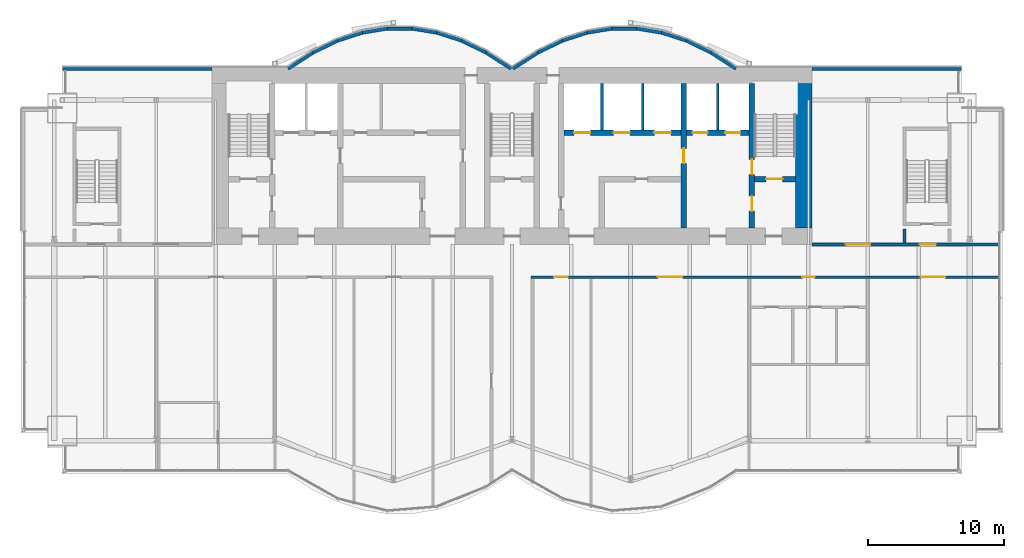
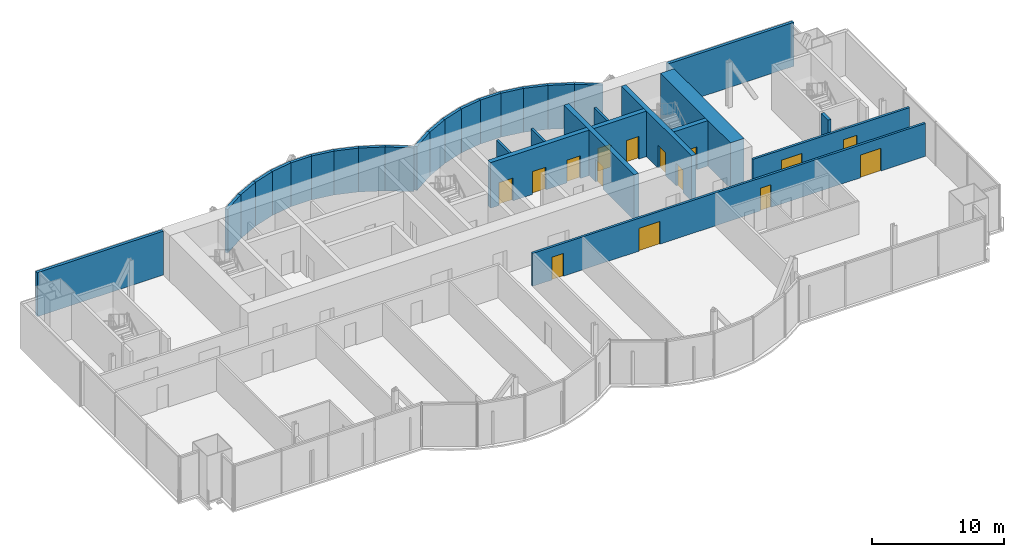
# One storey, part 16 of 20: 31 walls, 15 doors, 15 openings.
"""IFC4 building model written with IfcOpenShell, lengths in metres."""

from ifc_helpers import new_model, si_unit, direction, frame, frame_2d, origin, place, context, subcontext, project, spatial, rectangle, extrude, material, layer, layer_set, layer_usage, type_object, element, fill, save


model = new_model("IFC4")

# Units and contexts
model_context = context("Model", 3, precision=1e-05, world=origin(), true_north=direction((0.0, 1.0)))
body_context = subcontext(model_context, "Body", "Model", "MODEL_VIEW")
ifc_project = project(units=[si_unit("LENGTHUNIT", "METRE"), si_unit("AREAUNIT", "SQUARE_METRE"), si_unit("VOLUMEUNIT", "CUBIC_METRE"), si_unit("PLANEANGLEUNIT", "RADIAN"), si_unit("MASSUNIT", "GRAM", prefix="KILO")], contexts=[model_context])

# Site, building, storey
site_placement = place(None, origin())
site = spatial("IfcSite", under=ifc_project, at=site_placement, CompositionType="ELEMENT")
building_placement = place(site_placement, origin())
building = spatial("IfcBuilding", under=site, at=building_placement, Name="Bicima Exchange Tower", CompositionType="ELEMENT")
storey_placement = place(building_placement, frame((0.0, 0.0, 249.800048828125)))
storey = spatial("IfcBuildingStorey", under=building, at=storey_placement, Name="L56", CompositionType="ELEMENT", Elevation=249.800048828125)

# Walls
ifc_material_1 = material(Name="Gypsum board partition")
ifc_layer_1 = layer(ifc_material_1, 0.199951171875)
ifc_layer_set_1 = layer_set([ifc_layer_1], Name="Gypsum board partition")
wall_type_1 = type_object("IfcWallType", Name="Fire-rated gypsum partition 200 EI120", PredefinedType="PARTITIONING", material=ifc_layer_set_1)
for number, where, z_axis, x_axis, name in (
    (1, (6.60009765625, -4.60009765625, 0.0), (0.0, 0.0, 1.0), (0.0, 1.0, 0.0), "partition wall 18"),
    (2, (9.60009765625, -4.60009765625, 0.0), (0.0, 0.0, 1.0), (0.0, 1.0, 0.0), "partition wall 19"),
    (3, (15.10009765625, -4.60009765625, 0.0), (0.0, 0.0, 1.0), (0.0, 1.0, 0.0), "partition wall 21"),
):
    element("IfcWall", number, at=place(storey_placement, frame(where, z_axis=z_axis, x_axis=x_axis)), inside=storey, type_object=wall_type_1, Name=name, PredefinedType="PARTITIONING", context=body_context, shape_type="SweptSolid", body=[
        extrude(rectangle(XDim=3.400146484375, YDim=0.199951171875, at=frame_2d((1.7001953125, 0.0))), origin(), (0.0, 0.0, 1.0), 3.039306640625),
    ])

# Wall, openings, doors
ifc_layer_2 = layer(ifc_material_1, 0.199951171875)
ifc_layer_set_2 = layer_set([ifc_layer_2], Name="Gypsum board partition")
wall_type_2 = type_object("IfcWallType", Name="Fire-rated gypsum partition 200 EI60", PredefinedType="PARTITIONING", material=ifc_layer_set_2)
wall_1_placement = place(storey_placement, frame((1.39990234375, -15.39990234375, 0.0), z_axis=(0.0, 0.0, 1.0), x_axis=(1.0, 0.0, 0.0)))
wall_1 = element("IfcWall", 4, at=wall_1_placement, inside=storey, type_object=wall_type_2, Name="partition wall 5", PredefinedType="PARTITIONING", context=body_context, shape_type="SweptSolid", body=[
    extrude(rectangle(XDim=34.280029296875, YDim=0.199951171875, at=frame_2d((17.14013671875, 0.0))), origin(), (0.0, 0.0, 1.0), 3.039306640625),
])
opening_1_placement = place(wall_1_placement, frame((1.699951171875, 0.0, 0.0)))
opening_1 = element("IfcOpeningElement", 5, at=opening_1_placement, cuts=wall_1, Name="Opening L56-012", PredefinedType="OPENING", context=body_context, shape_type="SweptSolid", body=[
    extrude(rectangle(XDim=1.0, YDim=2.10009765625, at=frame_2d((0.5, 1.050048828125))), frame((0.0, 0.11181640625, 0.0), z_axis=(0.0, -1.0, 0.0), x_axis=(1.0, 0.0, 0.0)), (0.0, 0.0, 1.0), 0.223876953125),
])
opening_2_placement = place(wall_1_placement, frame((9.300048828125, 0.0, 0.0)))
opening_2 = element("IfcOpeningElement", 6, at=opening_2_placement, cuts=wall_1, Name="Opening L56-013", PredefinedType="OPENING", context=body_context, shape_type="SweptSolid", body=[
    extrude(rectangle(XDim=1.800048828125, YDim=2.10009765625, at=frame_2d((0.89990234375, 1.050048828125))), frame((0.0, 0.11181640625, 0.0), z_axis=(0.0, -1.0, 0.0), x_axis=(1.0, 0.0, 0.0)), (0.0, 0.0, 1.0), 0.223876953125),
])
opening_3_placement = place(wall_1_placement, frame((19.89990234375, 0.0, 0.0)))
opening_3 = element("IfcOpeningElement", 7, at=opening_3_placement, cuts=wall_1, Name="Opening L56-014", PredefinedType="OPENING", context=body_context, shape_type="SweptSolid", body=[
    extrude(rectangle(XDim=0.89990234375, YDim=2.10009765625, at=frame_2d((0.449951171875, 1.050048828125))), frame((0.0, 0.11181640625, 0.0), z_axis=(0.0, -1.0, 0.0), x_axis=(1.0, 0.0, 0.0)), (0.0, 0.0, 1.0), 0.223876953125),
])
opening_4_placement = place(wall_1_placement, frame((28.60009765625, 0.0, 0.0)))
opening_4 = element("IfcOpeningElement", 8, at=opening_4_placement, cuts=wall_1, Name="Opening L56-018", PredefinedType="OPENING", context=body_context, shape_type="SweptSolid", body=[
    extrude(rectangle(XDim=1.800048828125, YDim=2.10009765625, at=frame_2d((0.89990234375, 1.050048828125))), frame((0.0, 0.11181640625, 0.0), z_axis=(0.0, -1.0, 0.0), x_axis=(1.0, 0.0, 0.0)), (0.0, 0.0, 1.0), 0.223876953125),
])
ifc_material_2 = material(Name="Steel fire door leaf", Category="steel")
door_type_1 = type_object("IfcDoorType", Name="Door 1000 swing FD30S", OperationType="SINGLE_SWING_LEFT", PredefinedType="DOOR", material=ifc_material_2)
door_1_placement = place(opening_1_placement, frame((1.0, 0.0, 0.0), z_axis=(0.0, 0.0, 1.0), x_axis=(-1.0, 0.0, 0.0)))
door_1 = element("IfcDoor", 9, at=door_1_placement, inside=storey, type_object=door_type_1, Name="Door", OperationType="SINGLE_SWING_RIGHT", OverallHeight=2.10009765625, OverallWidth=1.0, PredefinedType="DOOR", context=body_context, shape_type="SweptSolid", body=[
    extrude(rectangle(XDim=1.0, YDim=2.10009765625, at=frame_2d((0.5, 1.050048828125))), frame((0.0, 0.02490234375, 0.0), z_axis=(0.0, -1.0, 0.0), x_axis=(1.0, 0.0, 0.0)), (0.0, 0.0, 1.0), 0.050048828125),
])
fill(opening_1, door_1)
door_type_2 = type_object("IfcDoorType", Name="Door 1800 double swing FD30S", OperationType="DOUBLE_DOOR_SINGLE_SWING", PredefinedType="DOOR", material=ifc_material_2)
door_2_placement = place(opening_2_placement, origin())
door_2 = element("IfcDoor", 10, at=door_2_placement, inside=storey, type_object=door_type_2, Name="Door", OperationType="SINGLE_SWING_LEFT", OverallHeight=2.10009765625, OverallWidth=1.800048828125, PredefinedType="DOOR", context=body_context, shape_type="SweptSolid", body=[
    extrude(rectangle(XDim=1.800048828125, YDim=2.10009765625, at=frame_2d((0.89990234375, 1.050048828125))), frame((0.0, 0.02490234375, 0.0), z_axis=(0.0, -1.0, 0.0), x_axis=(1.0, 0.0, 0.0)), (0.0, 0.0, 1.0), 0.050048828125),
])
fill(opening_2, door_2)
door_3_placement = place(opening_4_placement, origin())
door_3 = element("IfcDoor", 11, at=door_3_placement, inside=storey, type_object=door_type_2, Name="Door", OperationType="SINGLE_SWING_LEFT", OverallHeight=2.10009765625, OverallWidth=1.800048828125, PredefinedType="DOOR", context=body_context, shape_type="SweptSolid", body=[
    extrude(rectangle(XDim=1.800048828125, YDim=2.10009765625, at=frame_2d((0.89990234375, 1.050048828125))), frame((0.0, 0.02490234375, 0.0), z_axis=(0.0, -1.0, 0.0), x_axis=(1.0, 0.0, 0.0)), (0.0, 0.0, 1.0), 0.050048828125),
])
fill(opening_4, door_3)
door_type_3 = type_object("IfcDoorType", Name="Door 900 swing FD30S", OperationType="SINGLE_SWING_LEFT", PredefinedType="DOOR", material=ifc_material_2)
door_4_placement = place(opening_3_placement, frame((0.89990234375, 0.0, 0.0), z_axis=(0.0, 0.0, 1.0), x_axis=(-1.0, 0.0, 0.0)))
door_4 = element("IfcDoor", 12, at=door_4_placement, inside=storey, type_object=door_type_3, Name="Door", OperationType="SINGLE_SWING_RIGHT", OverallHeight=2.10009765625, OverallWidth=0.89990234375, PredefinedType="DOOR", context=body_context, shape_type="SweptSolid", body=[
    extrude(rectangle(XDim=0.89990234375, YDim=2.10009765625, at=frame_2d((0.449951171875, 1.050048828125))), frame((0.0, 0.02490234375, 0.0), z_axis=(0.0, -1.0, 0.0), x_axis=(1.0, 0.0, 0.0)), (0.0, 0.0, 1.0), 0.050048828125),
])
fill(opening_3, door_4)

wall_2_placement = place(storey_placement, frame((22.0, -13.0, 0.0), z_axis=(0.0, 0.0, 1.0), x_axis=(1.0, 0.0, 0.0)))
wall_2 = element("IfcWall", 13, at=wall_2_placement, inside=storey, type_object=wall_type_2, Name="partition wall 7", PredefinedType="PARTITIONING", context=body_context, shape_type="SweptSolid", body=[
    extrude(rectangle(XDim=13.679931640625, YDim=0.199951171875, at=frame_2d((6.83984375, 0.0))), origin(), (0.0, 0.0, 1.0), 3.039306640625),
])
opening_5_placement = place(wall_2_placement, frame((7.89990234375, 0.0, 0.0)))
opening_5 = element("IfcOpeningElement", 14, at=opening_5_placement, cuts=wall_2, Name="Opening L56-003", PredefinedType="OPENING", context=body_context, shape_type="SweptSolid", body=[
    extrude(rectangle(XDim=1.199951171875, YDim=2.10009765625, at=frame_2d((0.60009765625, 1.050048828125))), frame((0.0, 0.11181640625, 0.0), z_axis=(0.0, -1.0, 0.0), x_axis=(1.0, 0.0, 0.0)), (0.0, 0.0, 1.0), 0.223876953125),
])
opening_6_placement = place(wall_2_placement, frame((2.5, 0.0, 0.0)))
opening_6 = element("IfcOpeningElement", 15, at=opening_6_placement, cuts=wall_2, Name="Opening L56-006", PredefinedType="OPENING", context=body_context, shape_type="SweptSolid", body=[
    extrude(rectangle(XDim=1.800048828125, YDim=2.10009765625, at=frame_2d((0.89990234375, 1.050048828125))), frame((0.0, 0.11181640625, 0.0), z_axis=(0.0, -1.0, 0.0), x_axis=(1.0, 0.0, 0.0)), (0.0, 0.0, 1.0), 0.223876953125),
])
door_type_4 = type_object("IfcDoorType", Name="Door 1200 swing FD30S", OperationType="SINGLE_SWING_LEFT", PredefinedType="DOOR", material=ifc_material_2)
door_5_placement = place(opening_5_placement, origin())
door_5 = element("IfcDoor", 16, at=door_5_placement, inside=storey, type_object=door_type_4, Name="Door", OperationType="SINGLE_SWING_RIGHT", OverallHeight=2.10009765625, OverallWidth=1.199951171875, PredefinedType="DOOR", context=body_context, shape_type="SweptSolid", body=[
    extrude(rectangle(XDim=1.199951171875, YDim=2.10009765625, at=frame_2d((0.60009765625, 1.050048828125))), frame((0.0, 0.02490234375, 0.0), z_axis=(0.0, -1.0, 0.0), x_axis=(1.0, 0.0, 0.0)), (0.0, 0.0, 1.0), 0.050048828125),
])
fill(opening_5, door_5)
door_6_placement = place(opening_6_placement, origin())
door_6 = element("IfcDoor", 17, at=door_6_placement, inside=storey, type_object=door_type_2, Name="Door", OperationType="SINGLE_SWING_LEFT", OverallHeight=2.10009765625, OverallWidth=1.800048828125, PredefinedType="DOOR", context=body_context, shape_type="SweptSolid", body=[
    extrude(rectangle(XDim=1.800048828125, YDim=2.10009765625, at=frame_2d((0.89990234375, 1.050048828125))), frame((0.0, 0.02490234375, 0.0), z_axis=(0.0, -1.0, 0.0), x_axis=(1.0, 0.0, 0.0)), (0.0, 0.0, 1.0), 0.050048828125),
])
fill(opening_6, door_6)

# Walls
ifc_material_3 = material(Name="Concrete C40/50", Category="concrete")
ifc_layer_3 = layer(ifc_material_3, 1.199951171875)
ifc_layer_set_3 = layer_set([ifc_layer_3], Name="Concrete C40/50")
wall_type_3 = type_object("IfcWallType", Name="RC core wall 1200 C40/50", PredefinedType="SHEAR", material=ifc_layer_set_3)
wall_3_placement = place(storey_placement, frame((21.39990234375, -11.800048828125, 0.0), z_axis=(0.0, 0.0, 1.0), x_axis=(0.0, 1.0, 0.0)))
element("IfcWall", 18, at=wall_3_placement, inside=storey, type_object=wall_type_3, Name="Core wall east", PredefinedType="SHEAR", context=body_context, shape_type="SweptSolid", body=[
    extrude(rectangle(XDim=10.60009765625, YDim=1.199951171875, at=frame_2d((5.300048828125, 0.0))), origin(), (0.0, 0.0, 1.0), 4.199951171875),
])
ifc_material_4 = material(Name="Concrete C50/60", Category="concrete")
ifc_layer_4 = layer(ifc_material_4, 0.25)
ifc_layer_set_4 = layer_set([ifc_layer_4], Name="Concrete C50/60")
wall_type_4 = type_object("IfcWallType", Name="RC core wall 250 C50/60", PredefinedType="SHEAR", material=ifc_layer_set_4)
wall_4_placement = place(storey_placement, frame((28.800048828125, -12.89990234375, 0.0), z_axis=(0.0, 0.0, 1.0), x_axis=(0.0, 1.0, 0.0)))
element("IfcWall", 19, at=wall_4_placement, inside=storey, type_object=wall_type_4, Name="stair wall 30", PredefinedType="SHEAR", context=body_context, shape_type="SweptSolid", body=[
    extrude(rectangle(XDim=1.0498046875, YDim=0.25, at=frame_2d((0.52490234375, 0.0))), origin(), (0.0, 0.0, 1.0), 4.199951171875),
])

# Wall, openings, doors
ifc_layer_5 = layer(ifc_material_3, 0.39990234375)
ifc_layer_set_5 = layer_set([ifc_layer_5], Name="Concrete C40/50")
wall_type_5 = type_object("IfcWallType", Name="RC core wall 400 C40/50", PredefinedType="SHEAR", material=ifc_layer_set_5)
wall_5_placement = place(storey_placement, frame((3.800048828125, -4.800048828125, 0.0), z_axis=(0.0, 0.0, 1.0), x_axis=(1.0, 0.0, 0.0)))
wall_5 = element("IfcWall", 20, at=wall_5_placement, inside=storey, type_object=wall_type_5, Name="shear wall 7", PredefinedType="SHEAR", context=body_context, shape_type="SweptSolid", body=[
    extrude(rectangle(XDim=13.599853515625, YDim=0.39990234375, at=frame_2d((6.7998046875, 0.0))), origin(), (0.0, 0.0, 1.0), 4.199951171875),
])
opening_7_placement = place(wall_5_placement, frame((0.75, 0.0, 0.0)))
opening_7 = element("IfcOpeningElement", 21, at=opening_7_placement, cuts=wall_5, Name="Opening LD-HB1-L56", PredefinedType="OPENING", context=body_context, shape_type="SweptSolid", body=[
    extrude(rectangle(XDim=1.199951171875, YDim=2.10009765625, at=frame_2d((0.60009765625, 1.050048828125))), frame((0.0, 0.2119140625, 0.0), z_axis=(0.0, -1.0, 0.0), x_axis=(1.0, 0.0, 0.0)), (0.0, 0.0, 1.0), 0.423828125),
])
opening_8_placement = place(wall_5_placement, frame((3.64990234375, 0.0, 0.0)))
opening_8 = element("IfcOpeningElement", 22, at=opening_8_placement, cuts=wall_5, Name="Opening LD-HB2-L56", PredefinedType="OPENING", context=body_context, shape_type="SweptSolid", body=[
    extrude(rectangle(XDim=1.199951171875, YDim=2.10009765625, at=frame_2d((0.60009765625, 1.050048828125))), frame((0.0, 0.2119140625, 0.0), z_axis=(0.0, -1.0, 0.0), x_axis=(1.0, 0.0, 0.0)), (0.0, 0.0, 1.0), 0.423828125),
])
opening_9_placement = place(wall_5_placement, frame((6.64990234375, 0.0, 0.0)))
opening_9 = element("IfcOpeningElement", 23, at=opening_9_placement, cuts=wall_5, Name="Opening LD-HB3-L56", PredefinedType="OPENING", context=body_context, shape_type="SweptSolid", body=[
    extrude(rectangle(XDim=1.199951171875, YDim=2.10009765625, at=frame_2d((0.60009765625, 1.050048828125))), frame((0.0, 0.2119140625, 0.0), z_axis=(0.0, -1.0, 0.0), x_axis=(1.0, 0.0, 0.0)), (0.0, 0.0, 1.0), 0.423828125),
])
opening_10_placement = place(wall_5_placement, frame((9.449951171875, 0.0, 0.0)))
opening_10 = element("IfcOpeningElement", 24, at=opening_10_placement, cuts=wall_5, Name="Opening LD-FF2-L56", PredefinedType="OPENING", context=body_context, shape_type="SweptSolid", body=[
    extrude(rectangle(XDim=1.10009765625, YDim=2.10009765625, at=frame_2d((0.550048828125, 1.050048828125))), frame((0.0, 0.2119140625, 0.0), z_axis=(0.0, -1.0, 0.0), x_axis=(1.0, 0.0, 0.0)), (0.0, 0.0, 1.0), 0.423828125),
])
opening_11_placement = place(wall_5_placement, frame((11.85009765625, 0.0, 0.0)))
opening_11 = element("IfcOpeningElement", 25, at=opening_11_placement, cuts=wall_5, Name="Opening LD-SV1-L56", PredefinedType="OPENING", context=body_context, shape_type="SweptSolid", body=[
    extrude(rectangle(XDim=1.10009765625, YDim=2.10009765625, at=frame_2d((0.550048828125, 1.050048828125))), frame((0.0, 0.2119140625, 0.0), z_axis=(0.0, -1.0, 0.0), x_axis=(1.0, 0.0, 0.0)), (0.0, 0.0, 1.0), 0.423828125),
])
ifc_material_5 = material(Name="Stainless steel", Category="steel")
door_type_5 = type_object("IfcDoorType", Name="Lift landing door 1100 sliding", OperationType="DOUBLE_DOOR_SLIDING", PredefinedType="DOOR", material=ifc_material_5)
door_7_placement = place(opening_10_placement, origin())
door_7 = element("IfcDoor", 26, at=door_7_placement, inside=storey, type_object=door_type_5, Name="Lift landing door FF2", OperationType="DOUBLE_DOOR_SLIDING", OverallHeight=2.10009765625, OverallWidth=1.10009765625, PredefinedType="DOOR", context=body_context, shape_type="SweptSolid", body=[
    extrude(rectangle(XDim=1.10009765625, YDim=2.10009765625, at=frame_2d((0.550048828125, 1.050048828125))), frame((0.0, 0.02490234375, 0.0), z_axis=(0.0, -1.0, 0.0), x_axis=(1.0, 0.0, 0.0)), (0.0, 0.0, 1.0), 0.050048828125),
])
fill(opening_10, door_7)
door_8_placement = place(opening_11_placement, origin())
door_8 = element("IfcDoor", 27, at=door_8_placement, inside=storey, type_object=door_type_5, Name="Lift landing door SV1", OperationType="DOUBLE_DOOR_SLIDING", OverallHeight=2.10009765625, OverallWidth=1.10009765625, PredefinedType="DOOR", context=body_context, shape_type="SweptSolid", body=[
    extrude(rectangle(XDim=1.10009765625, YDim=2.10009765625, at=frame_2d((0.550048828125, 1.050048828125))), frame((0.0, 0.02490234375, 0.0), z_axis=(0.0, -1.0, 0.0), x_axis=(1.0, 0.0, 0.0)), (0.0, 0.0, 1.0), 0.050048828125),
])
fill(opening_11, door_8)
door_type_6 = type_object("IfcDoorType", Name="Lift landing door 1200 sliding", OperationType="DOUBLE_DOOR_SLIDING", PredefinedType="DOOR", material=ifc_material_5)
door_9_placement = place(opening_7_placement, origin())
door_9 = element("IfcDoor", 28, at=door_9_placement, inside=storey, type_object=door_type_6, Name="Lift landing door HB1", OperationType="DOUBLE_DOOR_SLIDING", OverallHeight=2.10009765625, OverallWidth=1.199951171875, PredefinedType="DOOR", context=body_context, shape_type="SweptSolid", body=[
    extrude(rectangle(XDim=1.199951171875, YDim=2.10009765625, at=frame_2d((0.60009765625, 1.050048828125))), frame((0.0, 0.02490234375, 0.0), z_axis=(0.0, -1.0, 0.0), x_axis=(1.0, 0.0, 0.0)), (0.0, 0.0, 1.0), 0.050048828125),
])
fill(opening_7, door_9)
door_10_placement = place(opening_8_placement, origin())
door_10 = element("IfcDoor", 29, at=door_10_placement, inside=storey, type_object=door_type_6, Name="Lift landing door HB2", OperationType="DOUBLE_DOOR_SLIDING", OverallHeight=2.10009765625, OverallWidth=1.199951171875, PredefinedType="DOOR", context=body_context, shape_type="SweptSolid", body=[
    extrude(rectangle(XDim=1.199951171875, YDim=2.10009765625, at=frame_2d((0.60009765625, 1.050048828125))), frame((0.0, 0.02490234375, 0.0), z_axis=(0.0, -1.0, 0.0), x_axis=(1.0, 0.0, 0.0)), (0.0, 0.0, 1.0), 0.050048828125),
])
fill(opening_8, door_10)
door_11_placement = place(opening_9_placement, origin())
door_11 = element("IfcDoor", 30, at=door_11_placement, inside=storey, type_object=door_type_6, Name="Lift landing door HB3", OperationType="DOUBLE_DOOR_SLIDING", OverallHeight=2.10009765625, OverallWidth=1.199951171875, PredefinedType="DOOR", context=body_context, shape_type="SweptSolid", body=[
    extrude(rectangle(XDim=1.199951171875, YDim=2.10009765625, at=frame_2d((0.60009765625, 1.050048828125))), frame((0.0, 0.02490234375, 0.0), z_axis=(0.0, -1.0, 0.0), x_axis=(1.0, 0.0, 0.0)), (0.0, 0.0, 1.0), 0.050048828125),
])
fill(opening_9, door_11)

# Wall, opening, door
wall_6_placement = place(storey_placement, frame((12.60009765625, -11.800048828125, 0.0), z_axis=(0.0, 0.0, 1.0), x_axis=(0.0, 1.0, 0.0)))
wall_6 = element("IfcWall", 31, at=wall_6_placement, inside=storey, type_object=wall_type_5, Name="shear wall 20", PredefinedType="SHEAR", context=body_context, shape_type="SweptSolid", body=[
    extrude(rectangle(XDim=10.60009765625, YDim=0.39990234375, at=frame_2d((5.300048828125, 0.0))), origin(), (0.0, 0.0, 1.0), 4.199951171875),
])
opening_12_placement = place(wall_6_placement, frame((4.75, 0.0, 0.0)))
opening_12 = element("IfcOpeningElement", 32, at=opening_12_placement, cuts=wall_6, Name="Opening L56-C09", PredefinedType="OPENING", context=body_context, shape_type="SweptSolid", body=[
    extrude(rectangle(XDim=1.10009765625, YDim=2.10009765625, at=frame_2d((0.550048828125, 1.050048828125))), frame((0.0, 0.2119140625, 0.0), z_axis=(0.0, -1.0, 0.0), x_axis=(1.0, 0.0, 0.0)), (0.0, 0.0, 1.0), 0.423828125),
])
door_type_7 = type_object("IfcDoorType", Name="Door 1100 swing FD60S", OperationType="SINGLE_SWING_LEFT", PredefinedType="DOOR", material=ifc_material_2)
door_12_placement = place(opening_12_placement, frame((1.10009765625, 0.0, 0.0), z_axis=(0.0, 0.0, 1.0), x_axis=(-1.0, 0.0, 0.0)))
door_12 = element("IfcDoor", 33, at=door_12_placement, inside=storey, type_object=door_type_7, Name="Core door", OperationType="SINGLE_SWING_RIGHT", OverallHeight=2.10009765625, OverallWidth=1.10009765625, PredefinedType="DOOR", context=body_context, shape_type="SweptSolid", body=[
    extrude(rectangle(XDim=1.10009765625, YDim=2.10009765625, at=frame_2d((0.550048828125, 1.050048828125))), frame((0.0, 0.02490234375, 0.0), z_axis=(0.0, -1.0, 0.0), x_axis=(1.0, 0.0, 0.0)), (0.0, 0.0, 1.0), 0.050048828125),
])
fill(opening_12, door_12)

ifc_layer_6 = layer(ifc_material_4, 0.39990234375)
ifc_layer_set_6 = layer_set([ifc_layer_6], Name="Concrete C50/60")
wall_type_6 = type_object("IfcWallType", Name="RC core wall 400 C50/60", PredefinedType="SHEAR", material=ifc_layer_set_6)
wall_7_placement = place(storey_placement, frame((17.800048828125, -8.199951171875, 0.0), z_axis=(0.0, 0.0, 1.0), x_axis=(1.0, 0.0, 0.0)))
wall_7 = element("IfcWall", 34, at=wall_7_placement, inside=storey, type_object=wall_type_6, Name="stair wall 5", PredefinedType="SHEAR", context=body_context, shape_type="SweptSolid", body=[
    extrude(rectangle(XDim=3.0, YDim=0.39990234375, at=frame_2d((1.5, 0.0))), origin(), (0.0, 0.0, 1.0), 4.199951171875),
])
opening_13_placement = place(wall_7_placement, frame((0.85009765625, 0.0, 0.0)))
opening_13 = element("IfcOpeningElement", 35, at=opening_13_placement, cuts=wall_7, Name="Opening L56-C04", PredefinedType="OPENING", context=body_context, shape_type="SweptSolid", body=[
    extrude(rectangle(XDim=1.199951171875, YDim=2.10009765625, at=frame_2d((0.60009765625, 1.050048828125))), frame((0.0, 0.2119140625, 0.0), z_axis=(0.0, -1.0, 0.0), x_axis=(1.0, 0.0, 0.0)), (0.0, 0.0, 1.0), 0.423828125),
])
door_type_8 = type_object("IfcDoorType", Name="Door 1200 swing FD60S", OperationType="SINGLE_SWING_LEFT", PredefinedType="DOOR", material=ifc_material_2)
door_13_placement = place(opening_13_placement, origin())
door_13 = element("IfcDoor", 36, at=door_13_placement, inside=storey, type_object=door_type_8, Name="Core door", OperationType="SINGLE_SWING_RIGHT", OverallHeight=2.10009765625, OverallWidth=1.199951171875, PredefinedType="DOOR", context=body_context, shape_type="SweptSolid", body=[
    extrude(rectangle(XDim=1.199951171875, YDim=2.10009765625, at=frame_2d((0.60009765625, 1.050048828125))), frame((0.0, 0.02490234375, 0.0), z_axis=(0.0, -1.0, 0.0), x_axis=(1.0, 0.0, 0.0)), (0.0, 0.0, 1.0), 0.050048828125),
])
fill(opening_13, door_13)

# Wall, openings, doors
wall_8_placement = place(storey_placement, frame((17.60009765625, -11.800048828125, 0.0), z_axis=(0.0, 0.0, 1.0), x_axis=(0.0, 1.0, 0.0)))
wall_8 = element("IfcWall", 37, at=wall_8_placement, inside=storey, type_object=wall_type_6, Name="stair wall 22", PredefinedType="SHEAR", context=body_context, shape_type="SweptSolid", body=[
    extrude(rectangle(XDim=10.60009765625, YDim=0.39990234375, at=frame_2d((5.300048828125, 0.0))), origin(), (0.0, 0.0, 1.0), 4.199951171875),
])
opening_14_placement = place(wall_8_placement, frame((1.25, 0.0, 0.0)))
opening_14 = element("IfcOpeningElement", 38, at=opening_14_placement, cuts=wall_8, Name="Opening L56-C05", PredefinedType="OPENING", context=body_context, shape_type="SweptSolid", body=[
    extrude(rectangle(XDim=1.10009765625, YDim=2.10009765625, at=frame_2d((0.550048828125, 1.050048828125))), frame((0.0, 0.2119140625, 0.0), z_axis=(0.0, -1.0, 0.0), x_axis=(1.0, 0.0, 0.0)), (0.0, 0.0, 1.0), 0.423828125),
])
opening_15_placement = place(wall_8_placement, frame((3.949951171875, 0.0, 0.0)))
opening_15 = element("IfcOpeningElement", 39, at=opening_15_placement, cuts=wall_8, Name="Opening L56-C08", PredefinedType="OPENING", context=body_context, shape_type="SweptSolid", body=[
    extrude(rectangle(XDim=1.10009765625, YDim=2.10009765625, at=frame_2d((0.550048828125, 1.050048828125))), frame((0.0, 0.2119140625, 0.0), z_axis=(0.0, -1.0, 0.0), x_axis=(1.0, 0.0, 0.0)), (0.0, 0.0, 1.0), 0.423828125),
])
door_14_placement = place(opening_14_placement, origin())
door_14 = element("IfcDoor", 40, at=door_14_placement, inside=storey, type_object=door_type_7, Name="Core door", OperationType="SINGLE_SWING_LEFT", OverallHeight=2.10009765625, OverallWidth=1.10009765625, PredefinedType="DOOR", context=body_context, shape_type="SweptSolid", body=[
    extrude(rectangle(XDim=1.10009765625, YDim=2.10009765625, at=frame_2d((0.550048828125, 1.050048828125))), frame((0.0, 0.02490234375, 0.0), z_axis=(0.0, -1.0, 0.0), x_axis=(1.0, 0.0, 0.0)), (0.0, 0.0, 1.0), 0.050048828125),
])
fill(opening_14, door_14)
door_15_placement = place(opening_15_placement, origin())
door_15 = element("IfcDoor", 41, at=door_15_placement, inside=storey, type_object=door_type_7, Name="Core door", OperationType="SINGLE_SWING_RIGHT", OverallHeight=2.10009765625, OverallWidth=1.10009765625, PredefinedType="DOOR", context=body_context, shape_type="SweptSolid", body=[
    extrude(rectangle(XDim=1.10009765625, YDim=2.10009765625, at=frame_2d((0.550048828125, 1.050048828125))), frame((0.0, 0.02490234375, 0.0), z_axis=(0.0, -1.0, 0.0), x_axis=(1.0, 0.0, 0.0)), (0.0, 0.0, 1.0), 0.050048828125),
])
fill(opening_15, door_15)

# Walls
ifc_layer_7 = layer(ifc_material_3, 0.25)
ifc_layer_set_7 = layer_set([ifc_layer_7], Name="Concrete C40/50")
ifc_layer_usage = layer_usage(ifc_layer_set_7, "AXIS2", "POSITIVE", -0.125)
wall_type_7 = type_object("IfcWallType", Name="Rear backup wall 250", PredefinedType="STANDARD", material=ifc_layer_set_7)
wall_9_placement = place(storey_placement, frame((33.0, -0.125, 0.0), z_axis=(0.0, 0.0, 1.0), x_axis=(-1.0, 0.0, 0.0)))
element("IfcWall", 42, at=wall_9_placement, inside=storey, type_object=wall_type_7, material=ifc_layer_usage, Name="Rear backup wall L56 1", PredefinedType="STANDARD", context=body_context, shape_type="SweptSolid", body=[
    extrude(rectangle(XDim=11.0, YDim=0.25, at=frame_2d((5.5, 0.0))), origin(), (0.0, 0.0, 1.0), 4.050048828125),
])
wall_10_placement = place(storey_placement, frame((16.43212890625, -0.10498046875, 0.0), z_axis=(0.0, 0.0, 1.0), x_axis=(-0.83981312244, 0.542875602121, 0.0)))
element("IfcWall", 43, at=wall_10_placement, inside=storey, type_object=wall_type_7, material=ifc_layer_usage, Name="Rear backup wall L56 2", PredefinedType="STANDARD", context=body_context, shape_type="SweptSolid", body=[
    extrude(rectangle(XDim=2.182861328125, YDim=0.25, at=frame_2d((1.09130859375, 0.0))), origin(), (0.0, 0.0, 1.0), 4.050048828125),
])
wall_11_placement = place(storey_placement, frame((14.6123046875, 1.07275390625, 0.0), z_axis=(0.0, 0.0, 1.0), x_axis=(-0.89982408427, 0.436252928206, 0.0)))
element("IfcWall", 44, at=wall_11_placement, inside=storey, type_object=wall_type_7, material=ifc_layer_usage, Name="Rear backup wall L56 3", PredefinedType="STANDARD", context=body_context, shape_type="SweptSolid", body=[
    extrude(rectangle(XDim=2.03759765625, YDim=0.25, at=frame_2d((1.018798828125, 0.0))), origin(), (0.0, 0.0, 1.0), 4.050048828125),
])
wall_12_placement = place(storey_placement, frame((12.794921875, 1.955078125, 0.0), z_axis=(0.0, 0.0, 1.0), x_axis=(-0.951495806175, 0.307661714928, 0.0)))
element("IfcWall", 45, at=wall_12_placement, inside=storey, type_object=wall_type_7, material=ifc_layer_usage, Name="Rear backup wall L56 4", PredefinedType="STANDARD", context=body_context, shape_type="SweptSolid", body=[
    extrude(rectangle(XDim=1.9267578125, YDim=0.25, at=frame_2d((0.96337890625, 0.0))), origin(), (0.0, 0.0, 1.0), 4.050048828125),
])
wall_13_placement = place(storey_placement, frame((10.97998046875, 2.543212890625, 0.0), z_axis=(0.0, 0.0, 1.0), x_axis=(-0.987181718931, 0.159600293885, 0.0)))
element("IfcWall", 46, at=wall_13_placement, inside=storey, type_object=wall_type_7, material=ifc_layer_usage, Name="Rear backup wall L56 5", PredefinedType="STANDARD", context=body_context, shape_type="SweptSolid", body=[
    extrude(rectangle(XDim=1.857177734375, YDim=0.25, at=frame_2d((0.9287109375, 0.0))), origin(), (0.0, 0.0, 1.0), 4.050048828125),
])
wall_14_placement = place(storey_placement, frame((9.166748046875, 2.837890625, 0.0), z_axis=(0.0, 0.0, 1.0), x_axis=(-1.0, 0.0, 0.0)))
element("IfcWall", 47, at=wall_14_placement, inside=storey, type_object=wall_type_7, material=ifc_layer_usage, Name="Rear backup wall L56 6", PredefinedType="STANDARD", context=body_context, shape_type="SweptSolid", body=[
    extrude(rectangle(XDim=1.83349609375, YDim=0.25, at=frame_2d((0.916748046875, 0.0))), origin(), (0.0, 0.0, 1.0), 4.050048828125),
])
wall_15_placement = place(storey_placement, frame((7.353271484375, 2.839599609375, 0.0), z_axis=(0.0, 0.0, 1.0), x_axis=(-0.987181718931, -0.159600293885, 0.0)))
element("IfcWall", 48, at=wall_15_placement, inside=storey, type_object=wall_type_7, material=ifc_layer_usage, Name="Rear backup wall L56 7", PredefinedType="STANDARD", context=body_context, shape_type="SweptSolid", body=[
    extrude(rectangle(XDim=1.857177734375, YDim=0.25, at=frame_2d((0.9287109375, 0.0))), origin(), (0.0, 0.0, 1.0), 4.050048828125),
])
wall_16_placement = place(storey_placement, frame((5.538330078125, 2.5478515625, 0.0), z_axis=(0.0, 0.0, 1.0), x_axis=(-0.951495806175, -0.307661714928, 0.0)))
element("IfcWall", 49, at=wall_16_placement, inside=storey, type_object=wall_type_7, material=ifc_layer_usage, Name="Rear backup wall L56 8", PredefinedType="STANDARD", context=body_context, shape_type="SweptSolid", body=[
    extrude(rectangle(XDim=1.9267578125, YDim=0.25, at=frame_2d((0.96337890625, 0.0))), origin(), (0.0, 0.0, 1.0), 4.050048828125),
])
wall_17_placement = place(storey_placement, frame((3.72119140625, 1.961669921875, 0.0), z_axis=(0.0, 0.0, 1.0), x_axis=(-0.89982408427, -0.436252928206, 0.0)))
element("IfcWall", 50, at=wall_17_placement, inside=storey, type_object=wall_type_7, material=ifc_layer_usage, Name="Rear backup wall L56 9", PredefinedType="STANDARD", context=body_context, shape_type="SweptSolid", body=[
    extrude(rectangle(XDim=2.03759765625, YDim=0.25, at=frame_2d((1.018798828125, 0.0))), origin(), (0.0, 0.0, 1.0), 4.050048828125),
])
for number, where, z_axis, x_axis, name in (
    (51, (1.901123046875, 1.080078125, 0.0), (0.0, 0.0, 1.0), (-0.83981312244, -0.542875602121, 0.0), "Rear backup wall L56 10"),
    (52, (-0.06787109375, -0.10498046875, 0.0), (0.0, 0.0, 1.0), (-0.83981312244, 0.542875602121, 0.0), "Rear backup wall L56 11"),
):
    element("IfcWall", number, at=place(storey_placement, frame(where, z_axis=z_axis, x_axis=x_axis)), inside=storey, type_object=wall_type_7, material=ifc_layer_usage, Name=name, PredefinedType="STANDARD", context=body_context, shape_type="SweptSolid", body=[
        extrude(rectangle(XDim=2.182861328125, YDim=0.25, at=frame_2d((1.09130859375, 0.0))), origin(), (0.0, 0.0, 1.0), 4.050048828125),
    ])
wall_18_placement = place(storey_placement, frame((-1.8876953125, 1.07275390625, 0.0), z_axis=(0.0, 0.0, 1.0), x_axis=(-0.89982408427, 0.436252928206, 0.0)))
element("IfcWall", 53, at=wall_18_placement, inside=storey, type_object=wall_type_7, material=ifc_layer_usage, Name="Rear backup wall L56 12", PredefinedType="STANDARD", context=body_context, shape_type="SweptSolid", body=[
    extrude(rectangle(XDim=2.03759765625, YDim=0.25, at=frame_2d((1.018798828125, 0.0))), origin(), (0.0, 0.0, 1.0), 4.050048828125),
])
wall_19_placement = place(storey_placement, frame((-3.705078125, 1.955078125, 0.0), z_axis=(0.0, 0.0, 1.0), x_axis=(-0.951495806175, 0.307661714928, 0.0)))
element("IfcWall", 54, at=wall_19_placement, inside=storey, type_object=wall_type_7, material=ifc_layer_usage, Name="Rear backup wall L56 13", PredefinedType="STANDARD", context=body_context, shape_type="SweptSolid", body=[
    extrude(rectangle(XDim=1.9267578125, YDim=0.25, at=frame_2d((0.96337890625, 0.0))), origin(), (0.0, 0.0, 1.0), 4.050048828125),
])
wall_20_placement = place(storey_placement, frame((-5.52001953125, 2.543212890625, 0.0), z_axis=(0.0, 0.0, 1.0), x_axis=(-0.987181718931, 0.159600293885, 0.0)))
element("IfcWall", 55, at=wall_20_placement, inside=storey, type_object=wall_type_7, material=ifc_layer_usage, Name="Rear backup wall L56 14", PredefinedType="STANDARD", context=body_context, shape_type="SweptSolid", body=[
    extrude(rectangle(XDim=1.857177734375, YDim=0.25, at=frame_2d((0.9287109375, 0.0))), origin(), (0.0, 0.0, 1.0), 4.050048828125),
])
wall_21_placement = place(storey_placement, frame((-7.333251953125, 2.837890625, 0.0), z_axis=(0.0, 0.0, 1.0), x_axis=(-1.0, 0.0, 0.0)))
element("IfcWall", 56, at=wall_21_placement, inside=storey, type_object=wall_type_7, material=ifc_layer_usage, Name="Rear backup wall L56 15", PredefinedType="STANDARD", context=body_context, shape_type="SweptSolid", body=[
    extrude(rectangle(XDim=1.83349609375, YDim=0.25, at=frame_2d((0.916748046875, 0.0))), origin(), (0.0, 0.0, 1.0), 4.050048828125),
])
wall_22_placement = place(storey_placement, frame((-9.146728515625, 2.839599609375, 0.0), z_axis=(0.0, 0.0, 1.0), x_axis=(-0.987181718931, -0.159600293885, 0.0)))
element("IfcWall", 57, at=wall_22_placement, inside=storey, type_object=wall_type_7, material=ifc_layer_usage, Name="Rear backup wall L56 16", PredefinedType="STANDARD", context=body_context, shape_type="SweptSolid", body=[
    extrude(rectangle(XDim=1.857177734375, YDim=0.25, at=frame_2d((0.9287109375, 0.0))), origin(), (0.0, 0.0, 1.0), 4.050048828125),
])
wall_23_placement = place(storey_placement, frame((-10.961669921875, 2.5478515625, 0.0), z_axis=(0.0, 0.0, 1.0), x_axis=(-0.951495806175, -0.307661714928, 0.0)))
element("IfcWall", 58, at=wall_23_placement, inside=storey, type_object=wall_type_7, material=ifc_layer_usage, Name="Rear backup wall L56 17", PredefinedType="STANDARD", context=body_context, shape_type="SweptSolid", body=[
    extrude(rectangle(XDim=1.9267578125, YDim=0.25, at=frame_2d((0.96337890625, 0.0))), origin(), (0.0, 0.0, 1.0), 4.050048828125),
])
wall_24_placement = place(storey_placement, frame((-12.77880859375, 1.961669921875, 0.0), z_axis=(0.0, 0.0, 1.0), x_axis=(-0.89982408427, -0.436252928206, 0.0)))
element("IfcWall", 59, at=wall_24_placement, inside=storey, type_object=wall_type_7, material=ifc_layer_usage, Name="Rear backup wall L56 18", PredefinedType="STANDARD", context=body_context, shape_type="SweptSolid", body=[
    extrude(rectangle(XDim=2.03759765625, YDim=0.25, at=frame_2d((1.018798828125, 0.0))), origin(), (0.0, 0.0, 1.0), 4.050048828125),
])
wall_25_placement = place(storey_placement, frame((-14.598876953125, 1.080078125, 0.0), z_axis=(0.0, 0.0, 1.0), x_axis=(-0.83981312244, -0.542875602121, 0.0)))
element("IfcWall", 60, at=wall_25_placement, inside=storey, type_object=wall_type_7, material=ifc_layer_usage, Name="Rear backup wall L56 19", PredefinedType="STANDARD", context=body_context, shape_type="SweptSolid", body=[
    extrude(rectangle(XDim=2.182861328125, YDim=0.25, at=frame_2d((1.09130859375, 0.0))), origin(), (0.0, 0.0, 1.0), 4.050048828125),
])
wall_26_placement = place(storey_placement, frame((-22.0, -0.125, 0.0), z_axis=(0.0, 0.0, 1.0), x_axis=(-1.0, 0.0, 0.0)))
element("IfcWall", 61, at=wall_26_placement, inside=storey, type_object=wall_type_7, material=ifc_layer_usage, Name="Rear backup wall L56 20", PredefinedType="STANDARD", context=body_context, shape_type="SweptSolid", body=[
    extrude(rectangle(XDim=11.0, YDim=0.25, at=frame_2d((5.5, 0.0))), origin(), (0.0, 0.0, 1.0), 4.050048828125),
])

save(model, "model.ifc")
